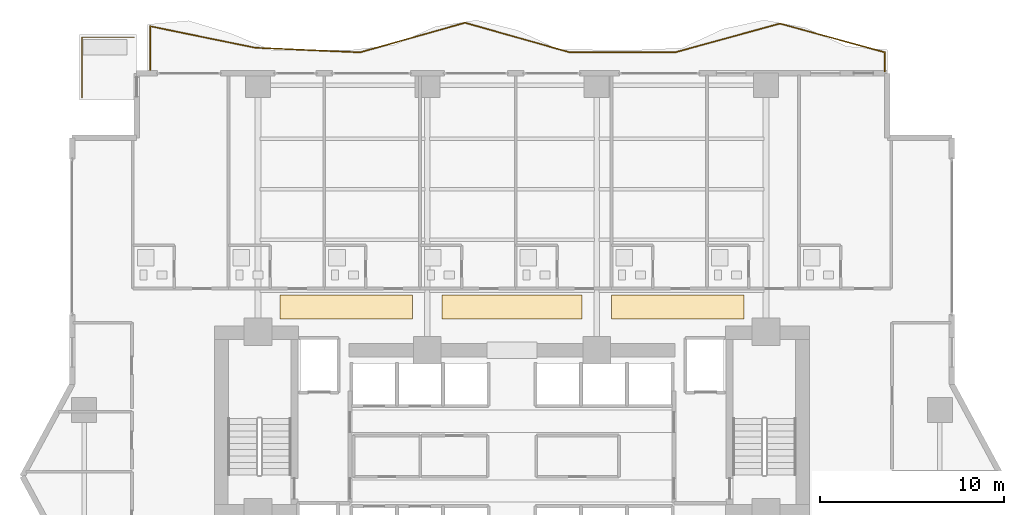
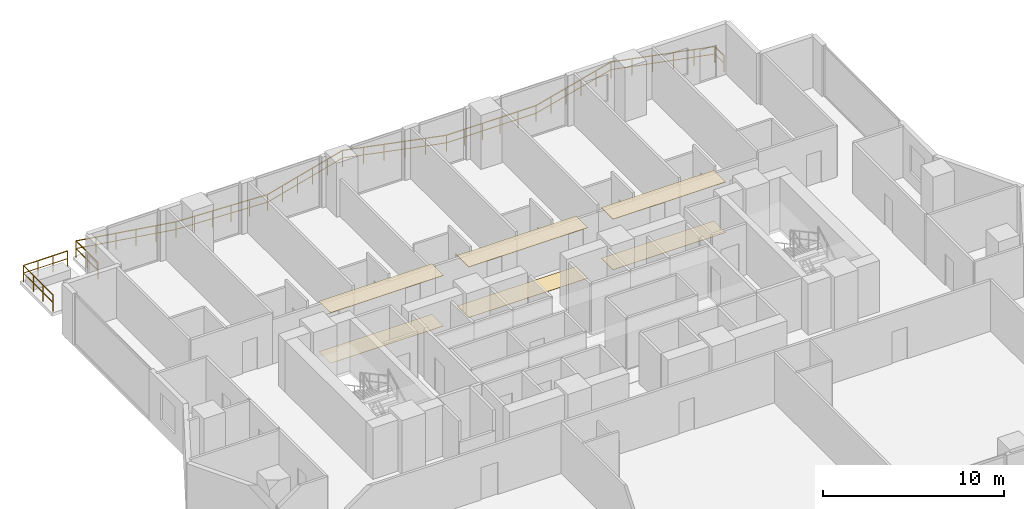
# One storey, part 27 of 28: 6 coverings, 2 railings.
"""IFC4 building model written with IfcOpenShell, lengths in metres."""

from ifc_helpers import new_model, si_unit, direction, frame, origin, origin_2d, place, context, subcontext, project, spatial, polyline, rectangle, outline, extrude, material, layer, layer_set, type_object, element, save


model = new_model("IFC4")

# Units and contexts
model_context = context("Model", 3, precision=1e-05, world=origin(), true_north=direction((0.0, 1.0)))
body_context = subcontext(model_context, "Body", "Model", "MODEL_VIEW")
ifc_project = project(units=[si_unit("LENGTHUNIT", "METRE"), si_unit("AREAUNIT", "SQUARE_METRE"), si_unit("VOLUMEUNIT", "CUBIC_METRE"), si_unit("PLANEANGLEUNIT", "RADIAN"), si_unit("MASSUNIT", "GRAM", prefix="KILO")], contexts=[model_context])

# Site, building, storey
site_placement = place(None, origin())
site = spatial("IfcSite", under=ifc_project, at=site_placement, CompositionType="ELEMENT")
building_placement = place(site_placement, origin())
building = spatial("IfcBuilding", under=site, at=building_placement, Name="Zuhayl Quay Hotel", CompositionType="ELEMENT")
storey_placement = place(building_placement, frame((0.0, 0.0, 110.25)))
storey = spatial("IfcBuildingStorey", under=building, at=storey_placement, Name="L27", CompositionType="ELEMENT", Elevation=110.25)

# Coverings
ifc_material_1 = material(Name="Acoustic Mineral-Fibre Gypsum Board")
ifc_layer_1 = layer(ifc_material_1, 0.02490234375, Name="Acoustic Mineral-Fibre Gypsum Board")
ifc_layer_set_1 = layer_set([ifc_layer_1], Name="Acoustic Mineral-Fibre Gypsum Board")
covering_type_1 = type_object("IfcCoveringType", Name="CV_CEIL_ACOUSTIC", PredefinedType="CEILING", material=ifc_layer_set_1)
covering_1_placement = place(storey_placement, frame((0.0, 0.0, 3.405029296875)))
element("IfcCovering", 1, at=covering_1_placement, inside=storey, type_object=covering_type_1, Name="L27 Guest Corridor Acoustic Ceiling CW", PredefinedType="CEILING", context=body_context, shape_type="SweptSolid", body=[
    extrude(outline(polyline([(-12.60009765625, 15.050048828125), (-5.39990234375, 15.050048828125), (-5.39990234375, 16.35009765625), (-12.60009765625, 16.35009765625), (-12.60009765625, 15.050048828125)])), origin(), (0.0, 0.0, 1.0), 0.02490234375),
])
covering_2_placement = place(storey_placement, frame((0.0, 0.0, 3.405029296875)))
element("IfcCovering", 2, at=covering_2_placement, inside=storey, type_object=covering_type_1, Name="L27 Guest Corridor Acoustic Ceiling CC", PredefinedType="CEILING", context=body_context, shape_type="SweptSolid", body=[
    extrude(outline(polyline([(-3.800048828125, 15.050048828125), (3.800048828125, 15.050048828125), (3.800048828125, 16.35009765625), (-3.800048828125, 16.35009765625), (-3.800048828125, 15.050048828125)])), origin(), (0.0, 0.0, 1.0), 0.02490234375),
])
covering_3_placement = place(storey_placement, frame((0.0, 0.0, 3.405029296875)))
element("IfcCovering", 3, at=covering_3_placement, inside=storey, type_object=covering_type_1, Name="L27 Guest Corridor Acoustic Ceiling CE", PredefinedType="CEILING", context=body_context, shape_type="SweptSolid", body=[
    extrude(outline(polyline([(5.39990234375, 15.050048828125), (12.60009765625, 15.050048828125), (12.60009765625, 16.35009765625), (5.39990234375, 16.35009765625), (5.39990234375, 15.050048828125)])), origin(), (0.0, 0.0, 1.0), 0.02490234375),
])
ifc_material_2 = material(Name="Polished Limestone Terrazzo", Category="masonry")
ifc_layer_2 = layer(ifc_material_2, 0.02001953125, Name="Polished Limestone Terrazzo", Category="masonry")
ifc_layer_set_2 = layer_set([ifc_layer_2], Name="Polished Limestone Terrazzo")
covering_type_2 = type_object("IfcCoveringType", Name="CV_FLOOR_TERRAZZO", PredefinedType="FLOORING", material=ifc_layer_set_2)
covering_4_placement = place(storey_placement, origin())
element("IfcCovering", 4, at=covering_4_placement, inside=storey, type_object=covering_type_2, Name="L27 Guest Corridor Terrazzo Runner CW", PredefinedType="FLOORING", context=body_context, shape_type="SweptSolid", body=[
    extrude(outline(polyline([(-12.60009765625, 15.050048828125), (-5.39990234375, 15.050048828125), (-5.39990234375, 16.35009765625), (-12.60009765625, 16.35009765625), (-12.60009765625, 15.050048828125)])), origin(), (0.0, 0.0, 1.0), 0.02001953125),
])
covering_5_placement = place(storey_placement, origin())
element("IfcCovering", 5, at=covering_5_placement, inside=storey, type_object=covering_type_2, Name="L27 Guest Corridor Terrazzo Runner CC", PredefinedType="FLOORING", context=body_context, shape_type="SweptSolid", body=[
    extrude(outline(polyline([(-3.800048828125, 15.050048828125), (3.800048828125, 15.050048828125), (3.800048828125, 16.35009765625), (-3.800048828125, 16.35009765625), (-3.800048828125, 15.050048828125)])), origin(), (0.0, 0.0, 1.0), 0.02001953125),
])
covering_6_placement = place(storey_placement, origin())
element("IfcCovering", 6, at=covering_6_placement, inside=storey, type_object=covering_type_2, Name="L27 Guest Corridor Terrazzo Runner CE", PredefinedType="FLOORING", context=body_context, shape_type="SweptSolid", body=[
    extrude(outline(polyline([(5.39990234375, 15.050048828125), (12.60009765625, 15.050048828125), (12.60009765625, 16.35009765625), (5.39990234375, 16.35009765625), (5.39990234375, 15.050048828125)])), origin(), (0.0, 0.0, 1.0), 0.02001953125),
])

# Railings
ifc_material_3 = material(Name="Anodised Aluminium and Laminated Glass", Category="aluminium")
railing_type = type_object("IfcRailingType", Name="RL_EXT_BAL_1100", PredefinedType="BALUSTRADE", material=ifc_material_3)
railing_1_placement = place(storey_placement, frame((-19.659912109375, 28.52001953125, 0.0)))
element("IfcRailing", 7, at=railing_1_placement, inside=storey, type_object=railing_type, Name="L27 Balcony and Terrace Guard GR_L27_BAL_N", PredefinedType="BALUSTRADE", context=body_context, shape_type="SweptSolid", body=[
    extrude(rectangle(XDim=0.048095703125, YDim=0.048095703125, at=origin_2d()), frame((0.0, 0.0, 1.09619140625), z_axis=(0.0, 1.0, 0.0), x_axis=(-1.0, 0.0, 0.0)), (0.0, 0.0, 1.0), 2.440185546875),
    extrude(rectangle(XDim=0.0361328125, YDim=0.0361328125, at=origin_2d()), frame((0.0, 0.0, 0.58251953125), z_axis=(0.0, 1.0, 0.0), x_axis=(-1.0, 0.0, 0.0)), (0.0, 0.0, 1.0), 2.440185546875),
    extrude(rectangle(XDim=0.048095703125, YDim=0.048095703125, at=origin_2d()), frame((0.0, 2.440185546875, 1.09619140625), z_axis=(0.979624074093, -0.200839919981, 0.0), x_axis=(0.200839919981, 0.979624074093, 0.0)), (0.0, 0.0, 1.0), 5.821533203125),
    extrude(rectangle(XDim=0.0361328125, YDim=0.0361328125, at=origin_2d()), frame((0.0, 2.440185546875, 0.58251953125), z_axis=(0.979624074093, -0.200839919981, 0.0), x_axis=(0.200839919981, 0.979624074093, 0.0)), (0.0, 0.0, 1.0), 5.821533203125),
    extrude(rectangle(XDim=0.048095703125, YDim=0.048095703125, at=origin_2d()), frame((5.702880859375, 1.27099609375, 1.09619140625), z_axis=(0.999032937406, -0.043968056326, 0.0), x_axis=(0.043968056326, 0.999032937406, 0.0)), (0.0, 0.0, 1.0), 5.708251953125),
    extrude(rectangle(XDim=0.0361328125, YDim=0.0361328125, at=origin_2d()), frame((5.702880859375, 1.27099609375, 0.58251953125), z_axis=(0.999032937406, -0.043968056326, 0.0), x_axis=(0.043968056326, 0.999032937406, 0.0)), (0.0, 0.0, 1.0), 5.708251953125),
    extrude(rectangle(XDim=0.048095703125, YDim=0.048095703125, at=origin_2d()), frame((11.405517578125, 1.02001953125, 1.09619140625), z_axis=(0.962465131893, 0.271405360836, 0.0), x_axis=(-0.271405360836, 0.962465131893, 0.0)), (0.0, 0.0, 1.0), 5.92529296875),
    extrude(rectangle(XDim=0.0361328125, YDim=0.0361328125, at=origin_2d()), frame((11.405517578125, 1.02001953125, 0.58251953125), z_axis=(0.962465131893, 0.271405360836, 0.0), x_axis=(-0.271405360836, 0.962465131893, 0.0)), (0.0, 0.0, 1.0), 5.92529296875),
    extrude(rectangle(XDim=0.048095703125, YDim=0.048095703125, at=origin_2d()), frame((17.1083984375, 2.628173828125, 1.09619140625), z_axis=(0.962465131893, -0.271405360836, 0.0), x_axis=(0.271405360836, 0.962465131893, 0.0)), (0.0, 0.0, 1.0), 5.92529296875),
    extrude(rectangle(XDim=0.0361328125, YDim=0.0361328125, at=origin_2d()), frame((17.1083984375, 2.628173828125, 0.58251953125), z_axis=(0.962465131893, -0.271405360836, 0.0), x_axis=(0.271405360836, 0.962465131893, 0.0)), (0.0, 0.0, 1.0), 5.92529296875),
    extrude(rectangle(XDim=0.048095703125, YDim=0.048095703125, at=origin_2d()), frame((22.811279296875, 1.02001953125, 1.09619140625), z_axis=(1.0, 0.0, 0.0), x_axis=(0.0, 1.0, 0.0)), (0.0, 0.0, 1.0), 5.702880859375),
    extrude(rectangle(XDim=0.0361328125, YDim=0.0361328125, at=origin_2d()), frame((22.811279296875, 1.02001953125, 0.58251953125), z_axis=(1.0, 0.0, 0.0), x_axis=(0.0, 1.0, 0.0)), (0.0, 0.0, 1.0), 5.702880859375),
    extrude(rectangle(XDim=0.048095703125, YDim=0.048095703125, at=origin_2d()), frame((28.51416015625, 1.02001953125, 1.09619140625), z_axis=(0.964339578181, 0.264668052387, 0.0), x_axis=(-0.264668052387, 0.964339578181, 0.0)), (0.0, 0.0, 1.0), 5.913818359375),
    extrude(rectangle(XDim=0.0361328125, YDim=0.0361328125, at=origin_2d()), frame((28.51416015625, 1.02001953125, 0.58251953125), z_axis=(0.964339578181, 0.264668052387, 0.0), x_axis=(-0.264668052387, 0.964339578181, 0.0)), (0.0, 0.0, 1.0), 5.913818359375),
    extrude(rectangle(XDim=0.048095703125, YDim=0.048095703125, at=origin_2d()), frame((34.217041015625, 2.585205078125, 1.09619140625), z_axis=(0.964339578181, -0.264668052387, 0.0), x_axis=(0.264668052387, 0.964339578181, 0.0)), (0.0, 0.0, 1.0), 5.913818359375),
    extrude(rectangle(XDim=0.0361328125, YDim=0.0361328125, at=origin_2d()), frame((34.217041015625, 2.585205078125, 0.58251953125), z_axis=(0.964339578181, -0.264668052387, 0.0), x_axis=(0.264668052387, 0.964339578181, 0.0)), (0.0, 0.0, 1.0), 5.913818359375),
    extrude(rectangle(XDim=0.048095703125, YDim=0.048095703125, at=origin_2d()), frame((39.919921875, 1.02001953125, 1.09619140625), z_axis=(0.0, -1.0, 0.0), x_axis=(1.0, 0.0, 0.0)), (0.0, 0.0, 1.0), 1.02001953125),
    extrude(rectangle(XDim=0.0361328125, YDim=0.0361328125, at=origin_2d()), frame((39.919921875, 1.02001953125, 0.58251953125), z_axis=(0.0, -1.0, 0.0), x_axis=(1.0, 0.0, 0.0)), (0.0, 0.0, 1.0), 1.02001953125),
    extrude(rectangle(XDim=0.0419921875, YDim=0.0419921875, at=origin_2d()), origin(), (0.0, 0.0, 1.0), 1.072021484375),
    extrude(rectangle(XDim=0.0419921875, YDim=0.0419921875, at=origin_2d()), frame((0.0, 1.22021484375, 0.0)), (0.0, 0.0, 1.0), 1.072021484375),
    extrude(rectangle(XDim=0.0419921875, YDim=0.0419921875, at=origin_2d()), frame((0.0, 2.440185546875, 0.0)), (0.0, 0.0, 1.0), 1.072021484375),
    extrude(rectangle(XDim=0.0419921875, YDim=0.0419921875, at=origin_2d()), frame((1.140625, 2.206298828125, 0.0)), (0.0, 0.0, 1.0), 1.072021484375),
    extrude(rectangle(XDim=0.0419921875, YDim=0.0419921875, at=origin_2d()), frame((2.28125, 1.972412109375, 0.0)), (0.0, 0.0, 1.0), 1.072021484375),
    extrude(rectangle(XDim=0.0419921875, YDim=0.0419921875, at=origin_2d()), frame((3.421630859375, 1.73876953125, 0.0)), (0.0, 0.0, 1.0), 1.072021484375),
    extrude(rectangle(XDim=0.0419921875, YDim=0.0419921875, at=origin_2d()), frame((4.562255859375, 1.5048828125, 0.0)), (0.0, 0.0, 1.0), 1.072021484375),
    extrude(rectangle(XDim=0.0419921875, YDim=0.0419921875, at=origin_2d()), frame((5.702880859375, 1.27099609375, 0.0)), (0.0, 0.0, 1.0), 1.072021484375),
    extrude(rectangle(XDim=0.0419921875, YDim=0.0419921875, at=origin_2d()), frame((6.843505859375, 1.220703125, 0.0)), (0.0, 0.0, 1.0), 1.072021484375),
    extrude(rectangle(XDim=0.0419921875, YDim=0.0419921875, at=origin_2d()), frame((7.98388671875, 1.170654296875, 0.0)), (0.0, 0.0, 1.0), 1.072021484375),
    extrude(rectangle(XDim=0.0419921875, YDim=0.0419921875, at=origin_2d()), frame((9.12451171875, 1.120361328125, 0.0)), (0.0, 0.0, 1.0), 1.072021484375),
    extrude(rectangle(XDim=0.0419921875, YDim=0.0419921875, at=origin_2d()), frame((10.264892578125, 1.0703125, 0.0)), (0.0, 0.0, 1.0), 1.072021484375),
    extrude(rectangle(XDim=0.0419921875, YDim=0.0419921875, at=origin_2d()), frame((11.405517578125, 1.02001953125, 0.0)), (0.0, 0.0, 1.0), 1.072021484375),
    extrude(rectangle(XDim=0.0419921875, YDim=0.0419921875, at=origin_2d()), frame((12.546142578125, 1.341552734375, 0.0)), (0.0, 0.0, 1.0), 1.072021484375),
    extrude(rectangle(XDim=0.0419921875, YDim=0.0419921875, at=origin_2d()), frame((13.686767578125, 1.663330078125, 0.0)), (0.0, 0.0, 1.0), 1.072021484375),
    extrude(rectangle(XDim=0.0419921875, YDim=0.0419921875, at=origin_2d()), frame((14.8271484375, 1.98486328125, 0.0)), (0.0, 0.0, 1.0), 1.072021484375),
    extrude(rectangle(XDim=0.0419921875, YDim=0.0419921875, at=origin_2d()), frame((15.9677734375, 2.306640625, 0.0)), (0.0, 0.0, 1.0), 1.072021484375),
    extrude(rectangle(XDim=0.0419921875, YDim=0.0419921875, at=origin_2d()), frame((17.1083984375, 2.628173828125, 0.0)), (0.0, 0.0, 1.0), 1.072021484375),
    extrude(rectangle(XDim=0.0419921875, YDim=0.0419921875, at=origin_2d()), frame((18.2490234375, 2.306640625, 0.0)), (0.0, 0.0, 1.0), 1.072021484375),
    extrude(rectangle(XDim=0.0419921875, YDim=0.0419921875, at=origin_2d()), frame((19.3896484375, 1.98486328125, 0.0)), (0.0, 0.0, 1.0), 1.072021484375),
    extrude(rectangle(XDim=0.0419921875, YDim=0.0419921875, at=origin_2d()), frame((20.530029296875, 1.663330078125, 0.0)), (0.0, 0.0, 1.0), 1.072021484375),
    extrude(rectangle(XDim=0.0419921875, YDim=0.0419921875, at=origin_2d()), frame((21.670654296875, 1.341552734375, 0.0)), (0.0, 0.0, 1.0), 1.072021484375),
    extrude(rectangle(XDim=0.0419921875, YDim=0.0419921875, at=origin_2d()), frame((22.811279296875, 1.02001953125, 0.0)), (0.0, 0.0, 1.0), 1.072021484375),
    extrude(rectangle(XDim=0.0419921875, YDim=0.0419921875, at=origin_2d()), frame((23.951904296875, 1.02001953125, 0.0)), (0.0, 0.0, 1.0), 1.072021484375),
    extrude(rectangle(XDim=0.0419921875, YDim=0.0419921875, at=origin_2d()), frame((25.092529296875, 1.02001953125, 0.0)), (0.0, 0.0, 1.0), 1.072021484375),
    extrude(rectangle(XDim=0.0419921875, YDim=0.0419921875, at=origin_2d()), frame((26.23291015625, 1.02001953125, 0.0)), (0.0, 0.0, 1.0), 1.072021484375),
    extrude(rectangle(XDim=0.0419921875, YDim=0.0419921875, at=origin_2d()), frame((27.37353515625, 1.02001953125, 0.0)), (0.0, 0.0, 1.0), 1.072021484375),
    extrude(rectangle(XDim=0.0419921875, YDim=0.0419921875, at=origin_2d()), frame((28.51416015625, 1.02001953125, 0.0)), (0.0, 0.0, 1.0), 1.072021484375),
    extrude(rectangle(XDim=0.0419921875, YDim=0.0419921875, at=origin_2d()), frame((29.65478515625, 1.3330078125, 0.0)), (0.0, 0.0, 1.0), 1.072021484375),
    extrude(rectangle(XDim=0.0419921875, YDim=0.0419921875, at=origin_2d()), frame((30.79541015625, 1.64599609375, 0.0)), (0.0, 0.0, 1.0), 1.072021484375),
    extrude(rectangle(XDim=0.0419921875, YDim=0.0419921875, at=origin_2d()), frame((31.935791015625, 1.959228515625, 0.0)), (0.0, 0.0, 1.0), 1.072021484375),
    extrude(rectangle(XDim=0.0419921875, YDim=0.0419921875, at=origin_2d()), frame((33.076416015625, 2.272216796875, 0.0)), (0.0, 0.0, 1.0), 1.072021484375),
    extrude(rectangle(XDim=0.0419921875, YDim=0.0419921875, at=origin_2d()), frame((34.217041015625, 2.585205078125, 0.0)), (0.0, 0.0, 1.0), 1.072021484375),
    extrude(rectangle(XDim=0.0419921875, YDim=0.0419921875, at=origin_2d()), frame((35.357666015625, 2.272216796875, 0.0)), (0.0, 0.0, 1.0), 1.072021484375),
    extrude(rectangle(XDim=0.0419921875, YDim=0.0419921875, at=origin_2d()), frame((36.498291015625, 1.959228515625, 0.0)), (0.0, 0.0, 1.0), 1.072021484375),
    extrude(rectangle(XDim=0.0419921875, YDim=0.0419921875, at=origin_2d()), frame((37.638671875, 1.64599609375, 0.0)), (0.0, 0.0, 1.0), 1.072021484375),
    extrude(rectangle(XDim=0.0419921875, YDim=0.0419921875, at=origin_2d()), frame((38.779296875, 1.3330078125, 0.0)), (0.0, 0.0, 1.0), 1.072021484375),
    extrude(rectangle(XDim=0.0419921875, YDim=0.0419921875, at=origin_2d()), frame((39.919921875, 1.02001953125, 0.0)), (0.0, 0.0, 1.0), 1.072021484375),
    extrude(rectangle(XDim=0.0419921875, YDim=0.0419921875, at=origin_2d()), frame((39.919921875, 0.0, 0.0)), (0.0, 0.0, 1.0), 1.072021484375),
])
railing_2_placement = place(storey_placement, frame((-20.5400390625, 30.360107421875, 0.0)))
element("IfcRailing", 8, at=railing_2_placement, inside=storey, type_object=railing_type, Name="L27 Balcony and Terrace Guard GR_L27_SPIRAL_NW", PredefinedType="BALUSTRADE", context=body_context, shape_type="SweptSolid", body=[
    extrude(rectangle(XDim=0.048095703125, YDim=0.048095703125, at=origin_2d()), frame((0.0, 0.0, 1.09619140625), z_axis=(-1.0, 0.0, 0.0), x_axis=(0.0, -1.0, 0.0)), (0.0, 0.0, 1.0), 2.820068359375),
    extrude(rectangle(XDim=0.0361328125, YDim=0.0361328125, at=origin_2d()), frame((0.0, 0.0, 0.58251953125), z_axis=(-1.0, 0.0, 0.0), x_axis=(0.0, -1.0, 0.0)), (0.0, 0.0, 1.0), 2.820068359375),
    extrude(rectangle(XDim=0.048095703125, YDim=0.048095703125, at=origin_2d()), frame((-2.820068359375, 0.0, 1.09619140625), z_axis=(0.0, -1.0, 0.0), x_axis=(1.0, 0.0, 0.0)), (0.0, 0.0, 1.0), 3.27001953125),
    extrude(rectangle(XDim=0.0361328125, YDim=0.0361328125, at=origin_2d()), frame((-2.820068359375, 0.0, 0.58251953125), z_axis=(0.0, -1.0, 0.0), x_axis=(1.0, 0.0, 0.0)), (0.0, 0.0, 1.0), 3.27001953125),
    extrude(rectangle(XDim=0.0419921875, YDim=0.0419921875, at=origin_2d()), origin(), (0.0, 0.0, 1.0), 1.072021484375),
    extrude(rectangle(XDim=0.0419921875, YDim=0.0419921875, at=origin_2d()), frame((-0.93994140625, 0.0, 0.0)), (0.0, 0.0, 1.0), 1.072021484375),
    extrude(rectangle(XDim=0.0419921875, YDim=0.0419921875, at=origin_2d()), frame((-1.880126953125, 0.0, 0.0)), (0.0, 0.0, 1.0), 1.072021484375),
    extrude(rectangle(XDim=0.0419921875, YDim=0.0419921875, at=origin_2d()), frame((-2.820068359375, 0.0, 0.0)), (0.0, 0.0, 1.0), 1.072021484375),
    extrude(rectangle(XDim=0.0419921875, YDim=0.0419921875, at=origin_2d()), frame((-2.820068359375, -1.090087890625, 0.0)), (0.0, 0.0, 1.0), 1.072021484375),
    extrude(rectangle(XDim=0.0419921875, YDim=0.0419921875, at=origin_2d()), frame((-2.820068359375, -2.179931640625, 0.0)), (0.0, 0.0, 1.0), 1.072021484375),
    extrude(rectangle(XDim=0.0419921875, YDim=0.0419921875, at=origin_2d()), frame((-2.820068359375, -3.27001953125, 0.0)), (0.0, 0.0, 1.0), 1.072021484375),
])

save(model, "model.ifc")
